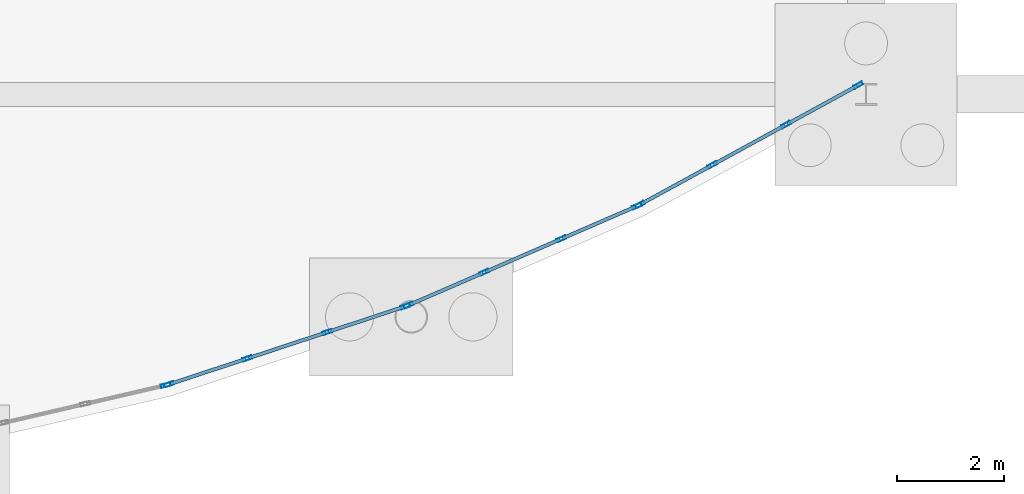
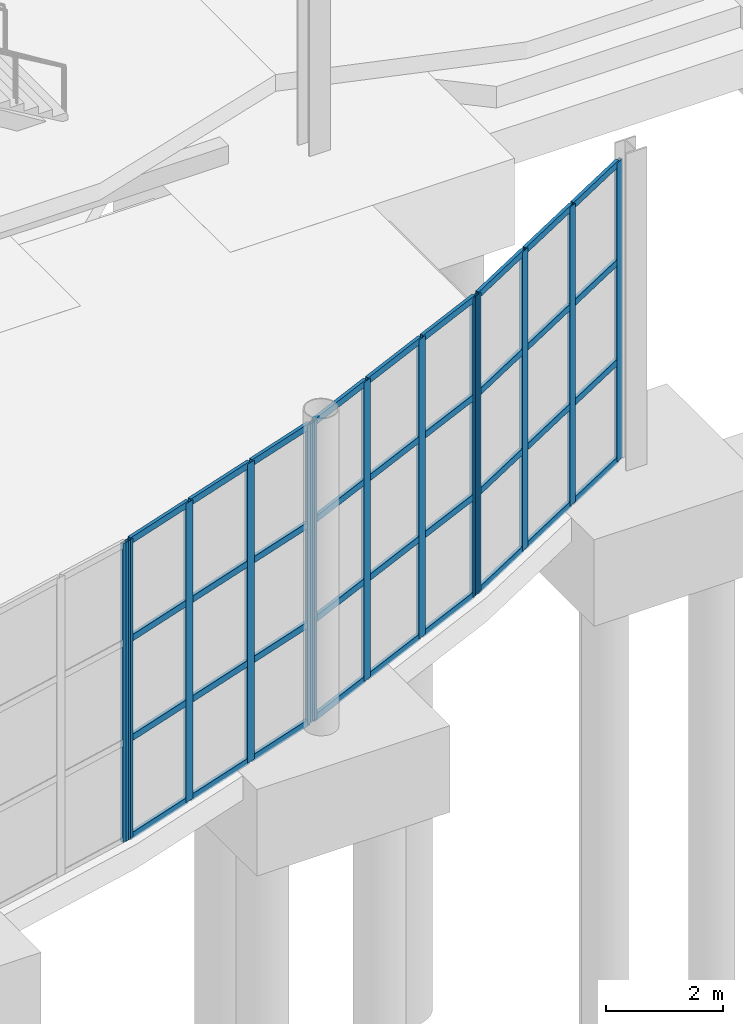
# One storey, part 46 of 115: 49 members, 4 elements without a shape of their own.
"""IFC4 building model written with IfcOpenShell, lengths in metres."""

import ifcopenshell
import ifcopenshell.guid

model = None  # the IFC model being written
_history = None  # IfcOwnerHistory: only IFC2X3 demands one
_inside = {}  # id of a spatial element -> (the spatial element, [elements in it])
_under = {}  # id of a project, library or spatial element -> (it, [spatial elements below it])
_declared = {}  # id of a project -> (the project, [libraries it declares])
_typed = {}  # id of a type object -> (the type object, [elements of that type])
_made_of = {}  # id of a material, layer set ... -> (it, [elements and type objects made of it])


def new_model(schema):
    """Start an empty IFC model of exactly this schema.

    Asked for "IFC4X3", IfcOpenShell would pick the latest addendum, in which some entities
    have other attributes; the version numbers below select the first issue.
    IFC2X3 requires an IfcOwnerHistory on every rooted entity: one is made here for all.
    """
    global model, _history
    if schema == "IFC4X3":
        model = ifcopenshell.file(schema_version=(4, 3, 0, 0))
    else:
        model = ifcopenshell.file(schema=schema)
    _inside.clear()
    _under.clear()
    _declared.clear()
    _typed.clear()
    _made_of.clear()
    _history = None
    if model.schema == "IFC2X3":
        org = make("IfcOrganization", Name="unknown")
        user = make(
            "IfcPersonAndOrganization",
            ThePerson=make("IfcPerson", FamilyName="unknown"),
            TheOrganization=org,
        )
        app = make(
            "IfcApplication",
            ApplicationDeveloper=org,
            Version="unknown",
            ApplicationFullName="unknown",
            ApplicationIdentifier="unknown",
        )
        _history = make(
            "IfcOwnerHistory",
            OwningUser=user,
            OwningApplication=app,
            ChangeAction="ADDED",
            CreationDate=0,
        )
    return model


def make(cls, **values):
    """One entity of the class cls with the attributes given. An attribute that is None is left unset."""
    return model.create_entity(
        cls, **{name: value for name, value in values.items() if value is not None}
    )


def rooted(cls, **values):
    """An entity with a GlobalId (a new one), such as an element, a storey or a relation."""
    return make(cls, GlobalId=ifcopenshell.guid.new(), OwnerHistory=_history, **values)


def si_unit(unit_type, name, prefix=None):
    """IfcSIUnit, for example si_unit("LENGTHUNIT", "METRE", prefix="MILLI")."""
    return make("IfcSIUnit", UnitType=unit_type, Prefix=prefix, Name=name)


def assignment(units):
    """IfcUnitAssignment: the units of a project."""
    return None if units is None else make("IfcUnitAssignment", Units=units)


def point(xyz):
    """IfcCartesianPoint."""
    return None if xyz is None else make("IfcCartesianPoint", Coordinates=xyz)


def direction(xyz):
    """IfcDirection."""
    return None if xyz is None else make("IfcDirection", DirectionRatios=xyz)


def frame(location, z_axis=None, x_axis=None):
    """IfcAxis2Placement3D, a coordinate frame: its origin and axes. An axis left out is left unset."""
    return make(
        "IfcAxis2Placement3D",
        Location=point(location),
        Axis=direction(z_axis),
        RefDirection=direction(x_axis),
    )


def frame_2d(location, x_axis=None):
    """IfcAxis2Placement2D, a coordinate frame in the plane: its origin and x axis."""
    return make(
        "IfcAxis2Placement2D", Location=point(location), RefDirection=direction(x_axis)
    )


def origin():
    """The frame at (0, 0, 0) with its axes left unset."""
    return frame((0.0, 0.0, 0.0))


def origin_2d():
    """The frame at (0, 0) in the plane with its x axis left unset."""
    return frame_2d((0.0, 0.0))


def place(relative_to, where):
    """IfcLocalPlacement: puts the frame where relative to a parent placement (None: the world)."""
    return make(
        "IfcLocalPlacement", PlacementRelTo=relative_to, RelativePlacement=where
    )


def context(
    kind, dimensions, precision=None, world=None, true_north=None, identifier=None
):
    """IfcGeometricRepresentationContext, for example the 3D "Model" context."""
    return make(
        "IfcGeometricRepresentationContext",
        ContextIdentifier=identifier,
        ContextType=kind,
        CoordinateSpaceDimension=dimensions,
        Precision=precision,
        WorldCoordinateSystem=world,
        TrueNorth=true_north,
    )


def subcontext(parent, identifier, kind, view, scale=None):
    """IfcGeometricRepresentationSubContext, for example "Body" below "Model"."""
    return make(
        "IfcGeometricRepresentationSubContext",
        ContextIdentifier=identifier,
        ContextType=kind,
        ParentContext=parent,
        TargetScale=scale,
        TargetView=view,
    )


def project(units=None, contexts=None):
    """IfcProject with its units and contexts."""
    return rooted(
        "IfcProject",
        Name="project",
        RepresentationContexts=contexts,
        UnitsInContext=assignment(units),
    )


def spatial(cls, under=None, at=None, **own):
    """A site, building, storey or space (cls), placed at a placement, below another one or the project."""
    s = rooted(cls, ObjectPlacement=at, **own)
    if under is not None:
        _under.setdefault(under.id(), (under, []))[1].append(s)
    return s


def profile(cls, at=None, kind="AREA", **sizes):
    """A parametric profile (cls). Its sizes go by their IFC names, for example OverallWidth=200.0."""
    return make(cls, ProfileType=kind, Position=at, **sizes)


def hollow_rectangle(**sizes):
    """IfcRectangleHollowProfileDef."""
    return profile("IfcRectangleHollowProfileDef", **sizes)


def extrude(swept, where, along, depth):
    """IfcExtrudedAreaSolid: the profile swept, set in the frame where, extruded along a direction by depth."""
    return make(
        "IfcExtrudedAreaSolid",
        SweptArea=swept,
        Position=where,
        ExtrudedDirection=direction(along),
        Depth=depth,
    )


def shape(context_of_items, identifier, shape_type, items):
    """IfcShapeRepresentation: the items that make up one representation, for example the "Body"."""
    return make(
        "IfcShapeRepresentation",
        ContextOfItems=context_of_items,
        RepresentationIdentifier=identifier,
        RepresentationType=shape_type,
        Items=items,
    )


def material(Name=None, Category=None):
    """IfcMaterial."""
    return make("IfcMaterial", Name=Name, Category=Category)


def layer(
    of_material, thickness, ventilated=None, Name=None, Category=None, Priority=None
):
    """IfcMaterialLayer: one layer of a wall or slab, of a material (None: an air gap)."""
    return make(
        "IfcMaterialLayer",
        Material=of_material,
        LayerThickness=thickness,
        IsVentilated=ventilated,
        Name=Name,
        Category=Category,
        Priority=Priority,
    )


def layer_set(layers, Name=None):
    """IfcMaterialLayerSet."""
    return make("IfcMaterialLayerSet", MaterialLayers=layers, LayerSetName=Name)


def material_profile(
    of_material, cross_section, Name=None, Category=None, Priority=None
):
    """IfcMaterialProfile: a cross section and its material."""
    return make(
        "IfcMaterialProfile",
        Name=Name,
        Material=of_material,
        Profile=cross_section,
        Priority=Priority,
        Category=Category,
    )


def profile_set(profiles, Name=None, composite=None):
    """IfcMaterialProfileSet."""
    return make(
        "IfcMaterialProfileSet",
        Name=Name,
        MaterialProfiles=profiles,
        CompositeProfile=composite,
    )


def made_of(thing, what):
    """Note that an element or type object is made of a material, layer set ...; save() writes the relation."""
    if what is not None:
        _made_of.setdefault(what.id(), (what, []))[1].append(thing)
    return thing


def type_object(cls, material=None, **own):
    """A type object (cls), such as IfcWallType, which elements share."""
    return made_of(rooted(cls, **own), material)


def element(
    cls,
    number,
    at=None,
    inside=None,
    cuts=None,
    type_object=None,
    material=None,
    context=None,
    identifier="Body",
    shape_type=None,
    held_by="IfcProductDefinitionShape",
    body=None,
    shapes=None,
    **own,
):
    """One element of the class cls, such as IfcWall. Its Tag is "e" and its number.

    at: its placement. inside: the storey or other place that contains it. cuts: it is an
    opening in that element (IfcRelVoidsElement). A single representation is given by context,
    identifier, shape_type and body (its items); several are given by shapes. held_by: the class
    of the entity that holds the representations. save() writes the other relations.
    """
    e = rooted(cls, Tag="e%d" % number, ObjectPlacement=at, **own)
    if body is not None:
        shapes = [shape(context, identifier, shape_type, body)]
    if shapes is not None:
        e.Representation = make(held_by, Representations=shapes)
    if inside is not None:
        _inside.setdefault(inside.id(), (inside, []))[1].append(e)
    if cuts is not None:
        rooted(
            "IfcRelVoidsElement", RelatingBuildingElement=cuts, RelatedOpeningElement=e
        )
    if type_object is not None:
        _typed.setdefault(type_object.id(), (type_object, []))[1].append(e)
    return made_of(e, material)


def aggregate(whole, parts):
    """IfcRelAggregates: a whole, such as a stair, and the parts it consists of."""
    return rooted("IfcRelAggregates", RelatingObject=whole, RelatedObjects=parts)


def save(model, path):
    """Write the relations noted so far, then the file.

    IfcRelAggregates (storeys below a building ...), IfcRelContainedInSpatialStructure (elements
    in a storey), IfcRelDefinesByType, IfcRelAssociatesMaterial and IfcRelDeclares: one each for
    every whole, place, type object, material and project.
    """
    for whole, parts in _under.values():
        aggregate(whole, parts)
    for where, things in _inside.values():
        rooted(
            "IfcRelContainedInSpatialStructure",
            RelatedElements=things,
            RelatingStructure=where,
        )
    for kind, things in _typed.values():
        rooted("IfcRelDefinesByType", RelatedObjects=things, RelatingType=kind)
    for what, things in _made_of.values():
        rooted("IfcRelAssociatesMaterial", RelatedObjects=things, RelatingMaterial=what)
    for by, libraries in _declared.values():
        rooted("IfcRelDeclares", RelatingContext=by, RelatedDefinitions=libraries)
    model.write(path)


model = new_model("IFC4")

# Units and contexts
model_context = context("Model", 3, precision=1e-05, world=origin(), true_north=direction((0.0, 1.0)))
body_context = subcontext(model_context, "Body", "Model", "MODEL_VIEW")
ifc_project = project(units=[si_unit("LENGTHUNIT", "METRE"), si_unit("AREAUNIT", "SQUARE_METRE"), si_unit("VOLUMEUNIT", "CUBIC_METRE"), si_unit("PLANEANGLEUNIT", "RADIAN"), si_unit("MASSUNIT", "GRAM", prefix="KILO")], contexts=[model_context])

# Site, building, storey
site_placement = place(None, origin())
site = spatial("IfcSite", under=ifc_project, at=site_placement, CompositionType="ELEMENT")
building_placement = place(site_placement, origin())
building = spatial("IfcBuilding", under=site, at=building_placement, Name="Tamarisk Ironworks Central Station", CompositionType="ELEMENT")
storey_placement = place(building_placement, origin())
storey = spatial("IfcBuildingStorey", under=building, at=storey_placement, Name="L00", CompositionType="ELEMENT", Elevation=0.0)

# Curtain wall, member
ifc_material = material(Name="Anodized aluminium alloy 6063-T6", Category="aluminium")
ifc_layer = layer(ifc_material, 0.179931640625)
ifc_layer_set = layer_set([ifc_layer], Name="Anodized aluminium alloy 6063-T6")
curtain_wall_type = type_object("IfcCurtainWallType", Name="CW-01", PredefinedType="USERDEFINED", material=ifc_layer_set)
curtain_wall_1_placement = place(storey_placement, origin())
curtain_wall_1 = element("IfcCurtainWall", 1, at=curtain_wall_1_placement, inside=storey, type_object=curtain_wall_type, Name="SN rounded entrance hall L00 curtain wall bay 09", ObjectType="GLAZED CURTAIN WALL", PredefinedType="USERDEFINED")
ifc_material_profile_1 = material_profile(ifc_material, hollow_rectangle(XDim=0.06494140625, YDim=0.179931640625, WallThickness=0.00390625, at=origin_2d()), Name="ALUM 180x65")
ifc_profile_set_1 = profile_set([ifc_material_profile_1], Name="Anodized aluminium alloy 6063-T6")
member_type_1 = type_object("IfcMemberType", Name="CWM-02", PredefinedType="MULLION", material=ifc_profile_set_1)
member_1_placement = place(storey_placement, frame((94.92724609375, 5.37060546875, 0.0), z_axis=(0.0, 0.0, 1.0), x_axis=(-0.225516966506, 0.974239240545, 0.0)))
member_1 = element("IfcMember", 2, at=member_1_placement, type_object=member_type_1, Name="CW01 mullion 4", PredefinedType="MULLION", context=body_context, shape_type="SweptSolid", body=[
    extrude(hollow_rectangle(XDim=0.06494140625, YDim=0.179931640625, WallThickness=0.00390625, at=origin_2d()), origin(), (0.0, 0.0, 1.0), 6.219970703125),
])
aggregate(curtain_wall_1, [member_1])

# Curtain wall, members
curtain_wall_2_placement = place(storey_placement, origin())
curtain_wall_2 = element("IfcCurtainWall", 3, at=curtain_wall_2_placement, inside=storey, type_object=curtain_wall_type, Name="SN rounded entrance hall L00 curtain wall bay 10", ObjectType="GLAZED CURTAIN WALL", PredefinedType="USERDEFINED")
member_2_placement = place(storey_placement, frame((94.98974609375, 5.38818359375, 0.0), z_axis=(0.0, 0.0, 1.0), x_axis=(-0.313098460171, 0.949720671692, 0.0)))
member_2 = element("IfcMember", 4, at=member_2_placement, type_object=member_type_1, Name="CW01 mullion 1", PredefinedType="MULLION", context=body_context, shape_type="SweptSolid", body=[
    extrude(hollow_rectangle(XDim=0.06494140625, YDim=0.179931640625, WallThickness=0.00390625, at=origin_2d()), origin(), (0.0, 0.0, 1.0), 6.219970703125),
])
member_3_placement = place(storey_placement, frame((96.449951171875, 5.86962890625, 0.0), z_axis=(0.0, 0.0, 1.0), x_axis=(-0.313098460171, 0.949720671692, 0.0)))
member_3 = element("IfcMember", 5, at=member_3_placement, type_object=member_type_1, Name="CW01 mullion 2", PredefinedType="MULLION", context=body_context, shape_type="SweptSolid", body=[
    extrude(hollow_rectangle(XDim=0.06494140625, YDim=0.179931640625, WallThickness=0.00390625, at=origin_2d()), origin(), (0.0, 0.0, 1.0), 6.219970703125),
])
member_4_placement = place(storey_placement, frame((97.94091796875, 6.361083984375, 0.0), z_axis=(0.0, 0.0, 1.0), x_axis=(-0.313098460171, 0.949720671692, 0.0)))
member_4 = element("IfcMember", 6, at=member_4_placement, type_object=member_type_1, Name="CW01 mullion 3", PredefinedType="MULLION", context=body_context, shape_type="SweptSolid", body=[
    extrude(hollow_rectangle(XDim=0.06494140625, YDim=0.179931640625, WallThickness=0.00390625, at=origin_2d()), origin(), (0.0, 0.0, 1.0), 6.219970703125),
])
member_5_placement = place(storey_placement, frame((99.40087890625, 6.842529296875, 0.0), z_axis=(0.0, 0.0, 1.0), x_axis=(-0.313098460171, 0.949720671692, 0.0)))
member_5 = element("IfcMember", 7, at=member_5_placement, type_object=member_type_1, Name="CW01 mullion 4", PredefinedType="MULLION", context=body_context, shape_type="SweptSolid", body=[
    extrude(hollow_rectangle(XDim=0.06494140625, YDim=0.179931640625, WallThickness=0.00390625, at=origin_2d()), origin(), (0.0, 0.0, 1.0), 6.219970703125),
])

curtain_wall_3_placement = place(storey_placement, origin())
curtain_wall_3 = element("IfcCurtainWall", 8, at=curtain_wall_3_placement, inside=storey, type_object=curtain_wall_type, Name="SN rounded entrance hall L00 curtain wall bay 11", ObjectType="GLAZED CURTAIN WALL", PredefinedType="USERDEFINED")
member_6_placement = place(storey_placement, frame((99.461669921875, 6.865478515625, 0.0), z_axis=(0.0, 0.0, 1.0), x_axis=(-0.398076935564, 0.917352033503, 0.0)))
member_6 = element("IfcMember", 9, at=member_6_placement, type_object=member_type_1, Name="CW01 mullion 1", PredefinedType="MULLION", context=body_context, shape_type="SweptSolid", body=[
    extrude(hollow_rectangle(XDim=0.06494140625, YDim=0.179931640625, WallThickness=0.00390625, at=origin_2d()), origin(), (0.0, 0.0, 1.0), 6.219970703125),
])
member_7_placement = place(storey_placement, frame((100.871826171875, 7.4775390625, 0.0), z_axis=(0.0, 0.0, 1.0), x_axis=(-0.398076935564, 0.917352033503, 0.0)))
member_7 = element("IfcMember", 10, at=member_7_placement, type_object=member_type_1, Name="CW01 mullion 2", PredefinedType="MULLION", context=body_context, shape_type="SweptSolid", body=[
    extrude(hollow_rectangle(XDim=0.06494140625, YDim=0.179931640625, WallThickness=0.00390625, at=origin_2d()), origin(), (0.0, 0.0, 1.0), 6.219970703125),
])
member_8_placement = place(storey_placement, frame((102.31201171875, 8.1025390625, 0.0), z_axis=(0.0, 0.0, 1.0), x_axis=(-0.398076935564, 0.917352033503, 0.0)))
member_8 = element("IfcMember", 11, at=member_8_placement, type_object=member_type_1, Name="CW01 mullion 3", PredefinedType="MULLION", context=body_context, shape_type="SweptSolid", body=[
    extrude(hollow_rectangle(XDim=0.06494140625, YDim=0.179931640625, WallThickness=0.00390625, at=origin_2d()), origin(), (0.0, 0.0, 1.0), 6.219970703125),
])
member_9_placement = place(storey_placement, frame((103.722412109375, 8.71435546875, 0.0), z_axis=(0.0, 0.0, 1.0), x_axis=(-0.398076935564, 0.917352033503, 0.0)))
member_9 = element("IfcMember", 12, at=member_9_placement, type_object=member_type_1, Name="CW01 mullion 4", PredefinedType="MULLION", context=body_context, shape_type="SweptSolid", body=[
    extrude(hollow_rectangle(XDim=0.06494140625, YDim=0.179931640625, WallThickness=0.00390625, at=origin_2d()), origin(), (0.0, 0.0, 1.0), 6.219970703125),
])

curtain_wall_4_placement = place(storey_placement, origin())
curtain_wall_4 = element("IfcCurtainWall", 13, at=curtain_wall_4_placement, inside=storey, type_object=curtain_wall_type, Name="SN rounded entrance hall L00 curtain wall bay 12", ObjectType="GLAZED CURTAIN WALL", PredefinedType="USERDEFINED")
member_10_placement = place(storey_placement, frame((103.78076171875, 8.742919921875, 0.0), z_axis=(0.0, 0.0, 1.0), x_axis=(-0.47980544644, 0.877374910495, 0.0)))
member_10 = element("IfcMember", 14, at=member_10_placement, type_object=member_type_1, Name="CW01 mullion 1", PredefinedType="MULLION", context=body_context, shape_type="SweptSolid", body=[
    extrude(hollow_rectangle(XDim=0.06494140625, YDim=0.179931640625, WallThickness=0.00390625, at=origin_2d()), origin(), (0.0, 0.0, 1.0), 6.219970703125),
])
member_11_placement = place(storey_placement, frame((105.129638671875, 9.480712890625, 0.0), z_axis=(0.0, 0.0, 1.0), x_axis=(-0.47980544644, 0.877374910495, 0.0)))
member_11 = element("IfcMember", 15, at=member_11_placement, type_object=member_type_1, Name="CW01 mullion 2", PredefinedType="MULLION", context=body_context, shape_type="SweptSolid", body=[
    extrude(hollow_rectangle(XDim=0.06494140625, YDim=0.179931640625, WallThickness=0.00390625, at=origin_2d()), origin(), (0.0, 0.0, 1.0), 6.219970703125),
])
member_12_placement = place(storey_placement, frame((106.5068359375, 10.23388671875, 0.0), z_axis=(0.0, 0.0, 1.0), x_axis=(-0.47980544644, 0.877374910495, 0.0)))
member_12 = element("IfcMember", 16, at=member_12_placement, type_object=member_type_1, Name="CW01 mullion 3", PredefinedType="MULLION", context=body_context, shape_type="SweptSolid", body=[
    extrude(hollow_rectangle(XDim=0.06494140625, YDim=0.179931640625, WallThickness=0.00390625, at=origin_2d()), origin(), (0.0, 0.0, 1.0), 6.219970703125),
])
member_13_placement = place(storey_placement, frame((107.855712890625, 10.971435546875, 0.0), z_axis=(0.0, 0.0, 1.0), x_axis=(-0.47980544644, 0.877374910495, 0.0)))
member_13 = element("IfcMember", 17, at=member_13_placement, type_object=member_type_1, Name="CW01 mullion 4", PredefinedType="MULLION", context=body_context, shape_type="SweptSolid", body=[
    extrude(hollow_rectangle(XDim=0.06494140625, YDim=0.179931640625, WallThickness=0.00390625, at=origin_2d()), origin(), (0.0, 0.0, 1.0), 6.219970703125),
])

# Member
ifc_material_profile_2 = material_profile(ifc_material, hollow_rectangle(XDim=0.06494140625, YDim=0.135009765625, WallThickness=0.00341796875, at=origin_2d()), Name="ALUM 135x65")
ifc_profile_set_2 = profile_set([ifc_material_profile_2], Name="Anodized aluminium alloy 6063-T6")
member_type_2 = type_object("IfcMemberType", Name="CWT-02", PredefinedType="USERDEFINED", material=ifc_profile_set_2)
member_14_placement = place(storey_placement, frame((95.016845703125, 5.397216796875, 0.032470703125), z_axis=(0.949749799831, 0.313010092044, 0.0), x_axis=(-0.313010092044, 0.949749799831, 0.0)))
member_14 = element("IfcMember", 18, at=member_14_placement, type_object=member_type_2, Name="CW01 transom 1.1", ObjectType="TRANSOM", PredefinedType="USERDEFINED", context=body_context, shape_type="SweptSolid", body=[
    extrude(hollow_rectangle(XDim=0.06494140625, YDim=0.135009765625, WallThickness=0.00341796875, at=origin_2d()), origin(), (0.0, 0.0, 1.0), 1.48046875),
])

member_15_placement = place(storey_placement, frame((95.016845703125, 5.397216796875, 2.0732421875), z_axis=(0.949749799831, 0.313010092044, 0.0), x_axis=(-0.313010092044, 0.949749799831, 0.0)))
member_15 = element("IfcMember", 19, at=member_15_placement, type_object=member_type_2, Name="CW01 transom 1.2", ObjectType="TRANSOM", PredefinedType="USERDEFINED", context=body_context, shape_type="SweptSolid", body=[
    extrude(hollow_rectangle(XDim=0.06494140625, YDim=0.135009765625, WallThickness=0.00341796875, at=origin_2d()), origin(), (0.0, 0.0, 1.0), 1.48046875),
])

member_16_placement = place(storey_placement, frame((95.016845703125, 5.397216796875, 4.146728515625), z_axis=(0.949749799831, 0.313010092044, 0.0), x_axis=(-0.313010092044, 0.949749799831, 0.0)))
member_16 = element("IfcMember", 20, at=member_16_placement, type_object=member_type_2, Name="CW01 transom 1.3", ObjectType="TRANSOM", PredefinedType="USERDEFINED", context=body_context, shape_type="SweptSolid", body=[
    extrude(hollow_rectangle(XDim=0.06494140625, YDim=0.135009765625, WallThickness=0.00341796875, at=origin_2d()), origin(), (0.0, 0.0, 1.0), 1.48046875),
])

member_17_placement = place(storey_placement, frame((95.016845703125, 5.397216796875, 6.1875), z_axis=(0.949749799831, 0.313010092044, 0.0), x_axis=(-0.313010092044, 0.949749799831, 0.0)))
member_17 = element("IfcMember", 21, at=member_17_placement, type_object=member_type_2, Name="CW01 transom 1.4", ObjectType="TRANSOM", PredefinedType="USERDEFINED", context=body_context, shape_type="SweptSolid", body=[
    extrude(hollow_rectangle(XDim=0.06494140625, YDim=0.135009765625, WallThickness=0.00341796875, at=origin_2d()), origin(), (0.0, 0.0, 1.0), 1.48046875),
])

member_18_placement = place(storey_placement, frame((96.47705078125, 5.87841796875, 0.032470703125), z_axis=(0.949727054968, 0.313079097135, 0.0), x_axis=(-0.313079097135, 0.949727054968, 0.0)))
member_18 = element("IfcMember", 22, at=member_18_placement, type_object=member_type_2, Name="CW01 transom 2.1", ObjectType="TRANSOM", PredefinedType="USERDEFINED", context=body_context, shape_type="SweptSolid", body=[
    extrude(hollow_rectangle(XDim=0.06494140625, YDim=0.135009765625, WallThickness=0.00341796875, at=origin_2d()), origin(), (0.0, 0.0, 1.0), 1.512939453125),
])

member_19_placement = place(storey_placement, frame((96.47705078125, 5.87841796875, 2.0732421875), z_axis=(0.949727054968, 0.313079097135, 0.0), x_axis=(-0.313079097135, 0.949727054968, 0.0)))
member_19 = element("IfcMember", 23, at=member_19_placement, type_object=member_type_2, Name="CW01 transom 2.2", ObjectType="TRANSOM", PredefinedType="USERDEFINED", context=body_context, shape_type="SweptSolid", body=[
    extrude(hollow_rectangle(XDim=0.06494140625, YDim=0.135009765625, WallThickness=0.00341796875, at=origin_2d()), origin(), (0.0, 0.0, 1.0), 1.512939453125),
])

member_20_placement = place(storey_placement, frame((96.47705078125, 5.87841796875, 4.146728515625), z_axis=(0.949727054968, 0.313079097135, 0.0), x_axis=(-0.313079097135, 0.949727054968, 0.0)))
member_20 = element("IfcMember", 24, at=member_20_placement, type_object=member_type_2, Name="CW01 transom 2.3", ObjectType="TRANSOM", PredefinedType="USERDEFINED", context=body_context, shape_type="SweptSolid", body=[
    extrude(hollow_rectangle(XDim=0.06494140625, YDim=0.135009765625, WallThickness=0.00341796875, at=origin_2d()), origin(), (0.0, 0.0, 1.0), 1.512939453125),
])

member_21_placement = place(storey_placement, frame((96.47705078125, 5.87841796875, 6.1875), z_axis=(0.949727054968, 0.313079097135, 0.0), x_axis=(-0.313079097135, 0.949727054968, 0.0)))
member_21 = element("IfcMember", 25, at=member_21_placement, type_object=member_type_2, Name="CW01 transom 2.4", ObjectType="TRANSOM", PredefinedType="USERDEFINED", context=body_context, shape_type="SweptSolid", body=[
    extrude(hollow_rectangle(XDim=0.06494140625, YDim=0.135009765625, WallThickness=0.00341796875, at=origin_2d()), origin(), (0.0, 0.0, 1.0), 1.512939453125),
])

member_22_placement = place(storey_placement, frame((97.968017578125, 6.369873046875, 0.032470703125), z_axis=(0.949684588352, 0.313207890462, 0.0), x_axis=(-0.313207890462, 0.949684588352, 0.0)))
member_22 = element("IfcMember", 26, at=member_22_placement, type_object=member_type_2, Name="CW01 transom 3.1", ObjectType="TRANSOM", PredefinedType="USERDEFINED", context=body_context, shape_type="SweptSolid", body=[
    extrude(hollow_rectangle(XDim=0.06494140625, YDim=0.135009765625, WallThickness=0.00341796875, at=origin_2d()), origin(), (0.0, 0.0, 1.0), 1.480224609375),
])

member_23_placement = place(storey_placement, frame((97.968017578125, 6.369873046875, 2.0732421875), z_axis=(0.949684588352, 0.313207890462, 0.0), x_axis=(-0.313207890462, 0.949684588352, 0.0)))
member_23 = element("IfcMember", 27, at=member_23_placement, type_object=member_type_2, Name="CW01 transom 3.2", ObjectType="TRANSOM", PredefinedType="USERDEFINED", context=body_context, shape_type="SweptSolid", body=[
    extrude(hollow_rectangle(XDim=0.06494140625, YDim=0.135009765625, WallThickness=0.00341796875, at=origin_2d()), origin(), (0.0, 0.0, 1.0), 1.480224609375),
])

member_24_placement = place(storey_placement, frame((97.968017578125, 6.369873046875, 4.146728515625), z_axis=(0.949684588352, 0.313207890462, 0.0), x_axis=(-0.313207890462, 0.949684588352, 0.0)))
member_24 = element("IfcMember", 28, at=member_24_placement, type_object=member_type_2, Name="CW01 transom 3.3", ObjectType="TRANSOM", PredefinedType="USERDEFINED", context=body_context, shape_type="SweptSolid", body=[
    extrude(hollow_rectangle(XDim=0.06494140625, YDim=0.135009765625, WallThickness=0.00341796875, at=origin_2d()), origin(), (0.0, 0.0, 1.0), 1.480224609375),
])

member_25_placement = place(storey_placement, frame((97.968017578125, 6.369873046875, 6.1875), z_axis=(0.949684588352, 0.313207890462, 0.0), x_axis=(-0.313207890462, 0.949684588352, 0.0)))
member_25 = element("IfcMember", 29, at=member_25_placement, type_object=member_type_2, Name="CW01 transom 3.4", ObjectType="TRANSOM", PredefinedType="USERDEFINED", context=body_context, shape_type="SweptSolid", body=[
    extrude(hollow_rectangle(XDim=0.06494140625, YDim=0.135009765625, WallThickness=0.00341796875, at=origin_2d()), origin(), (0.0, 0.0, 1.0), 1.480224609375),
])

aggregate(curtain_wall_2, [member_2, member_3, member_4, member_5, member_14, member_15, member_16, member_17, member_18, member_19, member_20, member_21, member_22, member_23, member_24, member_25])

member_26_placement = place(storey_placement, frame((99.48779296875, 6.876953125, 0.032470703125), z_axis=(0.917326827597, 0.398135016508, 0.0), x_axis=(-0.398135016508, 0.917326827597, 0.0)))
member_26 = element("IfcMember", 30, at=member_26_placement, type_object=member_type_2, Name="CW01 transom 1.1", ObjectType="TRANSOM", PredefinedType="USERDEFINED", context=body_context, shape_type="SweptSolid", body=[
    extrude(hollow_rectangle(XDim=0.06494140625, YDim=0.135009765625, WallThickness=0.00341796875, at=origin_2d()), origin(), (0.0, 0.0, 1.0), 1.480224609375),
])

member_27_placement = place(storey_placement, frame((99.48779296875, 6.876953125, 2.0732421875), z_axis=(0.917326827597, 0.398135016508, 0.0), x_axis=(-0.398135016508, 0.917326827597, 0.0)))
member_27 = element("IfcMember", 31, at=member_27_placement, type_object=member_type_2, Name="CW01 transom 1.2", ObjectType="TRANSOM", PredefinedType="USERDEFINED", context=body_context, shape_type="SweptSolid", body=[
    extrude(hollow_rectangle(XDim=0.06494140625, YDim=0.135009765625, WallThickness=0.00341796875, at=origin_2d()), origin(), (0.0, 0.0, 1.0), 1.480224609375),
])

member_28_placement = place(storey_placement, frame((99.48779296875, 6.876953125, 4.146728515625), z_axis=(0.917326827597, 0.398135016508, 0.0), x_axis=(-0.398135016508, 0.917326827597, 0.0)))
member_28 = element("IfcMember", 32, at=member_28_placement, type_object=member_type_2, Name="CW01 transom 1.3", ObjectType="TRANSOM", PredefinedType="USERDEFINED", context=body_context, shape_type="SweptSolid", body=[
    extrude(hollow_rectangle(XDim=0.06494140625, YDim=0.135009765625, WallThickness=0.00341796875, at=origin_2d()), origin(), (0.0, 0.0, 1.0), 1.480224609375),
])

member_29_placement = place(storey_placement, frame((99.48779296875, 6.876953125, 6.1875), z_axis=(0.917326827597, 0.398135016508, 0.0), x_axis=(-0.398135016508, 0.917326827597, 0.0)))
member_29 = element("IfcMember", 33, at=member_29_placement, type_object=member_type_2, Name="CW01 transom 1.4", ObjectType="TRANSOM", PredefinedType="USERDEFINED", context=body_context, shape_type="SweptSolid", body=[
    extrude(hollow_rectangle(XDim=0.06494140625, YDim=0.135009765625, WallThickness=0.00341796875, at=origin_2d()), origin(), (0.0, 0.0, 1.0), 1.480224609375),
])

member_30_placement = place(storey_placement, frame((100.898193359375, 7.48876953125, 0.032470703125), z_axis=(0.917323881544, 0.398141804322, 0.0), x_axis=(-0.398141804322, 0.917323881544, 0.0)))
member_30 = element("IfcMember", 34, at=member_30_placement, type_object=member_type_2, Name="CW01 transom 2.1", ObjectType="TRANSOM", PredefinedType="USERDEFINED", context=body_context, shape_type="SweptSolid", body=[
    extrude(hollow_rectangle(XDim=0.06494140625, YDim=0.135009765625, WallThickness=0.00341796875, at=origin_2d()), origin(), (0.0, 0.0, 1.0), 1.5126953125),
])

member_31_placement = place(storey_placement, frame((100.898193359375, 7.48876953125, 2.0732421875), z_axis=(0.917323881544, 0.398141804322, 0.0), x_axis=(-0.398141804322, 0.917323881544, 0.0)))
member_31 = element("IfcMember", 35, at=member_31_placement, type_object=member_type_2, Name="CW01 transom 2.2", ObjectType="TRANSOM", PredefinedType="USERDEFINED", context=body_context, shape_type="SweptSolid", body=[
    extrude(hollow_rectangle(XDim=0.06494140625, YDim=0.135009765625, WallThickness=0.00341796875, at=origin_2d()), origin(), (0.0, 0.0, 1.0), 1.5126953125),
])

member_32_placement = place(storey_placement, frame((100.898193359375, 7.48876953125, 4.146728515625), z_axis=(0.917323881544, 0.398141804322, 0.0), x_axis=(-0.398141804322, 0.917323881544, 0.0)))
member_32 = element("IfcMember", 36, at=member_32_placement, type_object=member_type_2, Name="CW01 transom 2.3", ObjectType="TRANSOM", PredefinedType="USERDEFINED", context=body_context, shape_type="SweptSolid", body=[
    extrude(hollow_rectangle(XDim=0.06494140625, YDim=0.135009765625, WallThickness=0.00341796875, at=origin_2d()), origin(), (0.0, 0.0, 1.0), 1.5126953125),
])

member_33_placement = place(storey_placement, frame((100.898193359375, 7.48876953125, 6.1875), z_axis=(0.917323881544, 0.398141804322, 0.0), x_axis=(-0.398141804322, 0.917323881544, 0.0)))
member_33 = element("IfcMember", 37, at=member_33_placement, type_object=member_type_2, Name="CW01 transom 2.4", ObjectType="TRANSOM", PredefinedType="USERDEFINED", context=body_context, shape_type="SweptSolid", body=[
    extrude(hollow_rectangle(XDim=0.06494140625, YDim=0.135009765625, WallThickness=0.00341796875, at=origin_2d()), origin(), (0.0, 0.0, 1.0), 1.5126953125),
])

member_34_placement = place(storey_placement, frame((102.338134765625, 8.11376953125, 0.032470703125), z_axis=(0.917352964572, 0.398074789947, 0.0), x_axis=(-0.398074789947, 0.917352964572, 0.0)))
member_34 = element("IfcMember", 38, at=member_34_placement, type_object=member_type_2, Name="CW01 transom 3.1", ObjectType="TRANSOM", PredefinedType="USERDEFINED", context=body_context, shape_type="SweptSolid", body=[
    extrude(hollow_rectangle(XDim=0.06494140625, YDim=0.135009765625, WallThickness=0.00341796875, at=origin_2d()), origin(), (0.0, 0.0, 1.0), 1.48046875),
])

member_35_placement = place(storey_placement, frame((102.338134765625, 8.11376953125, 2.0732421875), z_axis=(0.917352964572, 0.398074789947, 0.0), x_axis=(-0.398074789947, 0.917352964572, 0.0)))
member_35 = element("IfcMember", 39, at=member_35_placement, type_object=member_type_2, Name="CW01 transom 3.2", ObjectType="TRANSOM", PredefinedType="USERDEFINED", context=body_context, shape_type="SweptSolid", body=[
    extrude(hollow_rectangle(XDim=0.06494140625, YDim=0.135009765625, WallThickness=0.00341796875, at=origin_2d()), origin(), (0.0, 0.0, 1.0), 1.48046875),
])

member_36_placement = place(storey_placement, frame((102.338134765625, 8.11376953125, 4.146728515625), z_axis=(0.917352964572, 0.398074789947, 0.0), x_axis=(-0.398074789947, 0.917352964572, 0.0)))
member_36 = element("IfcMember", 40, at=member_36_placement, type_object=member_type_2, Name="CW01 transom 3.3", ObjectType="TRANSOM", PredefinedType="USERDEFINED", context=body_context, shape_type="SweptSolid", body=[
    extrude(hollow_rectangle(XDim=0.06494140625, YDim=0.135009765625, WallThickness=0.00341796875, at=origin_2d()), origin(), (0.0, 0.0, 1.0), 1.48046875),
])

member_37_placement = place(storey_placement, frame((102.338134765625, 8.11376953125, 6.1875), z_axis=(0.917352964572, 0.398074789947, 0.0), x_axis=(-0.398074789947, 0.917352964572, 0.0)))
member_37 = element("IfcMember", 41, at=member_37_placement, type_object=member_type_2, Name="CW01 transom 3.4", ObjectType="TRANSOM", PredefinedType="USERDEFINED", context=body_context, shape_type="SweptSolid", body=[
    extrude(hollow_rectangle(XDim=0.06494140625, YDim=0.135009765625, WallThickness=0.00341796875, at=origin_2d()), origin(), (0.0, 0.0, 1.0), 1.48046875),
])

aggregate(curtain_wall_3, [member_6, member_7, member_8, member_9, member_26, member_27, member_28, member_29, member_30, member_31, member_32, member_33, member_34, member_35, member_36, member_37])

member_38_placement = place(storey_placement, frame((103.8056640625, 8.756591796875, 0.032470703125), z_axis=(0.877327746429, 0.479891680847, 0.0), x_axis=(-0.479891680847, 0.877327746429, 0.0)))
member_38 = element("IfcMember", 42, at=member_38_placement, type_object=member_type_2, Name="CW01 transom 1.1", ObjectType="TRANSOM", PredefinedType="USERDEFINED", context=body_context, shape_type="SweptSolid", body=[
    extrude(hollow_rectangle(XDim=0.06494140625, YDim=0.135009765625, WallThickness=0.00341796875, at=origin_2d()), origin(), (0.0, 0.0, 1.0), 1.48046875),
])

member_39_placement = place(storey_placement, frame((103.8056640625, 8.756591796875, 2.0732421875), z_axis=(0.877327746429, 0.479891680847, 0.0), x_axis=(-0.479891680847, 0.877327746429, 0.0)))
member_39 = element("IfcMember", 43, at=member_39_placement, type_object=member_type_2, Name="CW01 transom 1.2", ObjectType="TRANSOM", PredefinedType="USERDEFINED", context=body_context, shape_type="SweptSolid", body=[
    extrude(hollow_rectangle(XDim=0.06494140625, YDim=0.135009765625, WallThickness=0.00341796875, at=origin_2d()), origin(), (0.0, 0.0, 1.0), 1.48046875),
])

member_40_placement = place(storey_placement, frame((103.8056640625, 8.756591796875, 4.146728515625), z_axis=(0.877327746429, 0.479891680847, 0.0), x_axis=(-0.479891680847, 0.877327746429, 0.0)))
member_40 = element("IfcMember", 44, at=member_40_placement, type_object=member_type_2, Name="CW01 transom 1.3", ObjectType="TRANSOM", PredefinedType="USERDEFINED", context=body_context, shape_type="SweptSolid", body=[
    extrude(hollow_rectangle(XDim=0.06494140625, YDim=0.135009765625, WallThickness=0.00341796875, at=origin_2d()), origin(), (0.0, 0.0, 1.0), 1.48046875),
])

member_41_placement = place(storey_placement, frame((103.8056640625, 8.756591796875, 6.1875), z_axis=(0.877327746429, 0.479891680847, 0.0), x_axis=(-0.479891680847, 0.877327746429, 0.0)))
member_41 = element("IfcMember", 45, at=member_41_placement, type_object=member_type_2, Name="CW01 transom 1.4", ObjectType="TRANSOM", PredefinedType="USERDEFINED", context=body_context, shape_type="SweptSolid", body=[
    extrude(hollow_rectangle(XDim=0.06494140625, YDim=0.135009765625, WallThickness=0.00341796875, at=origin_2d()), origin(), (0.0, 0.0, 1.0), 1.48046875),
])

member_42_placement = place(storey_placement, frame((105.154541015625, 9.494384765625, 0.032470703125), z_axis=(0.877395552404, 0.479767698602, 0.0), x_axis=(-0.479767698602, 0.877395552404, 0.0)))
member_42 = element("IfcMember", 46, at=member_42_placement, type_object=member_type_2, Name="CW01 transom 2.1", ObjectType="TRANSOM", PredefinedType="USERDEFINED", context=body_context, shape_type="SweptSolid", body=[
    extrude(hollow_rectangle(XDim=0.06494140625, YDim=0.135009765625, WallThickness=0.00341796875, at=origin_2d()), origin(), (0.0, 0.0, 1.0), 1.512939453125),
])

member_43_placement = place(storey_placement, frame((105.154541015625, 9.494384765625, 2.0732421875), z_axis=(0.877395552404, 0.479767698602, 0.0), x_axis=(-0.479767698602, 0.877395552404, 0.0)))
member_43 = element("IfcMember", 47, at=member_43_placement, type_object=member_type_2, Name="CW01 transom 2.2", ObjectType="TRANSOM", PredefinedType="USERDEFINED", context=body_context, shape_type="SweptSolid", body=[
    extrude(hollow_rectangle(XDim=0.06494140625, YDim=0.135009765625, WallThickness=0.00341796875, at=origin_2d()), origin(), (0.0, 0.0, 1.0), 1.512939453125),
])

member_44_placement = place(storey_placement, frame((105.154541015625, 9.494384765625, 4.146728515625), z_axis=(0.877395552404, 0.479767698602, 0.0), x_axis=(-0.479767698602, 0.877395552404, 0.0)))
member_44 = element("IfcMember", 48, at=member_44_placement, type_object=member_type_2, Name="CW01 transom 2.3", ObjectType="TRANSOM", PredefinedType="USERDEFINED", context=body_context, shape_type="SweptSolid", body=[
    extrude(hollow_rectangle(XDim=0.06494140625, YDim=0.135009765625, WallThickness=0.00341796875, at=origin_2d()), origin(), (0.0, 0.0, 1.0), 1.512939453125),
])

member_45_placement = place(storey_placement, frame((105.154541015625, 9.494384765625, 6.1875), z_axis=(0.877395552404, 0.479767698602, 0.0), x_axis=(-0.479767698602, 0.877395552404, 0.0)))
member_45 = element("IfcMember", 49, at=member_45_placement, type_object=member_type_2, Name="CW01 transom 2.4", ObjectType="TRANSOM", PredefinedType="USERDEFINED", context=body_context, shape_type="SweptSolid", body=[
    extrude(hollow_rectangle(XDim=0.06494140625, YDim=0.135009765625, WallThickness=0.00341796875, at=origin_2d()), origin(), (0.0, 0.0, 1.0), 1.512939453125),
])

member_46_placement = place(storey_placement, frame((106.531982421875, 10.24755859375, 0.032470703125), z_axis=(0.877397174043, 0.479764732949, 0.0), x_axis=(-0.479764732949, 0.877397174043, 0.0)))
member_46 = element("IfcMember", 50, at=member_46_placement, type_object=member_type_2, Name="CW01 transom 3.1", ObjectType="TRANSOM", PredefinedType="USERDEFINED", context=body_context, shape_type="SweptSolid", body=[
    extrude(hollow_rectangle(XDim=0.06494140625, YDim=0.135009765625, WallThickness=0.00341796875, at=origin_2d()), origin(), (0.0, 0.0, 1.0), 1.480224609375),
])

member_47_placement = place(storey_placement, frame((106.531982421875, 10.24755859375, 2.0732421875), z_axis=(0.877397174043, 0.479764732949, 0.0), x_axis=(-0.479764732949, 0.877397174043, 0.0)))
member_47 = element("IfcMember", 51, at=member_47_placement, type_object=member_type_2, Name="CW01 transom 3.2", ObjectType="TRANSOM", PredefinedType="USERDEFINED", context=body_context, shape_type="SweptSolid", body=[
    extrude(hollow_rectangle(XDim=0.06494140625, YDim=0.135009765625, WallThickness=0.00341796875, at=origin_2d()), origin(), (0.0, 0.0, 1.0), 1.480224609375),
])

member_48_placement = place(storey_placement, frame((106.531982421875, 10.24755859375, 4.146728515625), z_axis=(0.877397174043, 0.479764732949, 0.0), x_axis=(-0.479764732949, 0.877397174043, 0.0)))
member_48 = element("IfcMember", 52, at=member_48_placement, type_object=member_type_2, Name="CW01 transom 3.3", ObjectType="TRANSOM", PredefinedType="USERDEFINED", context=body_context, shape_type="SweptSolid", body=[
    extrude(hollow_rectangle(XDim=0.06494140625, YDim=0.135009765625, WallThickness=0.00341796875, at=origin_2d()), origin(), (0.0, 0.0, 1.0), 1.480224609375),
])

member_49_placement = place(storey_placement, frame((106.531982421875, 10.24755859375, 6.1875), z_axis=(0.877397174043, 0.479764732949, 0.0), x_axis=(-0.479764732949, 0.877397174043, 0.0)))
member_49 = element("IfcMember", 53, at=member_49_placement, type_object=member_type_2, Name="CW01 transom 3.4", ObjectType="TRANSOM", PredefinedType="USERDEFINED", context=body_context, shape_type="SweptSolid", body=[
    extrude(hollow_rectangle(XDim=0.06494140625, YDim=0.135009765625, WallThickness=0.00341796875, at=origin_2d()), origin(), (0.0, 0.0, 1.0), 1.480224609375),
])

aggregate(curtain_wall_4, [member_10, member_11, member_12, member_13, member_38, member_39, member_40, member_41, member_42, member_43, member_44, member_45, member_46, member_47, member_48, member_49])

save(model, "model.ifc")
